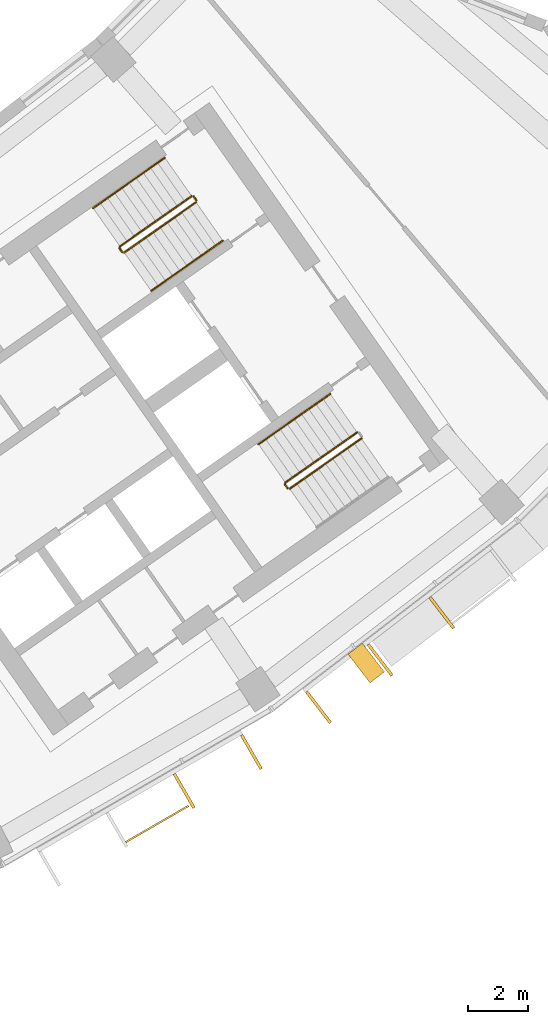
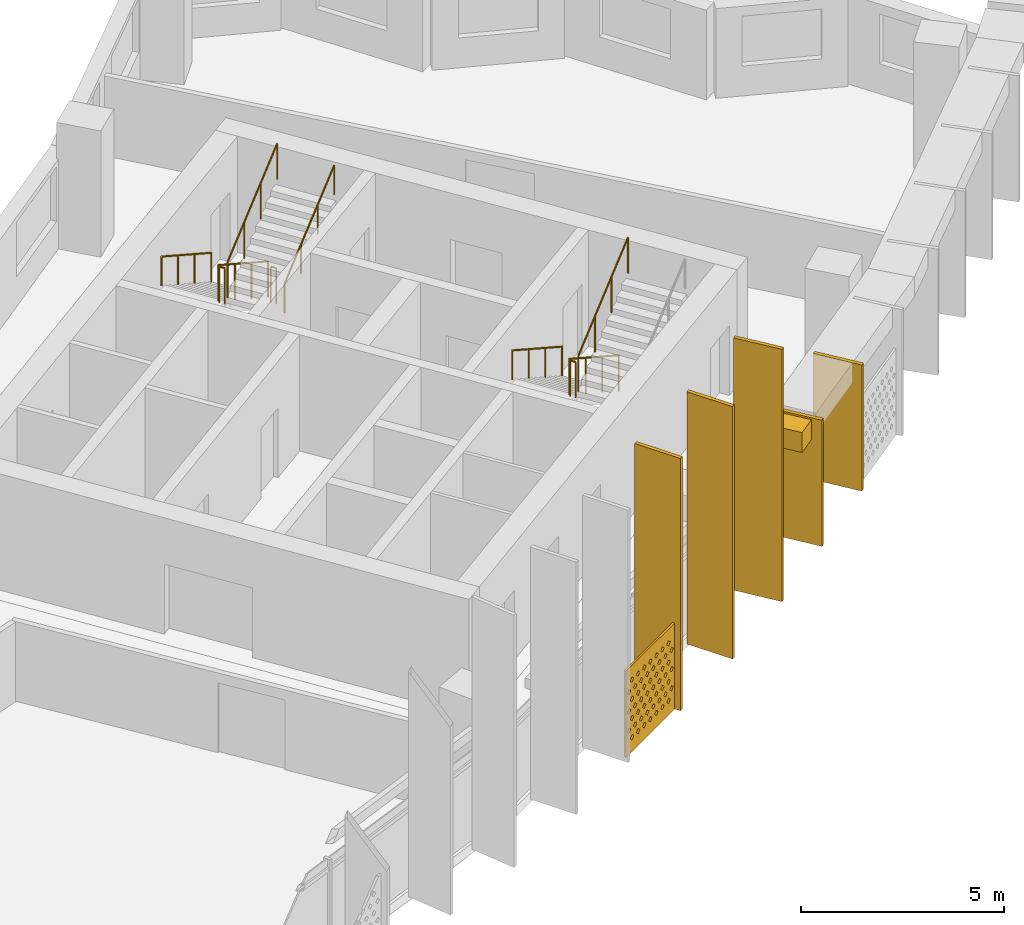
# One storey, part 26 of 27: 8 railings, 7 shading devices.
"""IFC4 building model written with IfcOpenShell, lengths in metres."""

from ifc_helpers import new_model, si_unit, direction, frame, origin, origin_2d, place, context, subcontext, project, spatial, polyline, rectangle, circle, outline, extrude, material, material_profile, profile_set, type_object, element, save


model = new_model("IFC4")

# Units and contexts
model_context = context("Model", 3, precision=1e-05, world=origin(), true_north=direction((0.0, 1.0)))
body_context = subcontext(model_context, "Body", "Model", "MODEL_VIEW")
ifc_project = project(units=[si_unit("LENGTHUNIT", "METRE"), si_unit("AREAUNIT", "SQUARE_METRE"), si_unit("VOLUMEUNIT", "CUBIC_METRE"), si_unit("PLANEANGLEUNIT", "RADIAN"), si_unit("MASSUNIT", "GRAM", prefix="KILO")], contexts=[model_context])

# Site, building, storey
site_placement = place(None, origin())
site = spatial("IfcSite", under=ifc_project, at=site_placement, CompositionType="ELEMENT")
building_placement = place(site_placement, origin())
building = spatial("IfcBuilding", under=site, at=building_placement, Name="Qamariyya Broadcast Tower", CompositionType="ELEMENT")
storey_placement = place(building_placement, frame((0.0, 0.0, 211.300048828125)))
storey = spatial("IfcBuildingStorey", under=building, at=storey_placement, Name="L50", CompositionType="ELEMENT", Elevation=211.300048828125)

# Shading devices
ifc_material_1 = material(Name="Steel S355 powder coated deep red", Category="steel")
shading_device_type_1 = type_object("IfcShadingDeviceType", Name="Deep red frame, powder coated steel box section", PredefinedType="USERDEFINED", material=ifc_material_1)
shading_device_1_placement = place(storey_placement, frame((0.0, 0.0, 3.199951171875)))
element("IfcShadingDevice", 1, at=shading_device_1_placement, inside=storey, type_object=shading_device_type_1, Name="e-frm-B4-F4-posta-L50", ObjectType="FRAME", PredefinedType="USERDEFINED", context=body_context, shape_type="SweptSolid", body=[
    extrude(outline(polyline([(46.17822265625, -63.489990234375), (46.90869140625, -64.442138671875), (47.384765625, -64.076904296875), (46.654296875, -63.124755859375), (46.17822265625, -63.489990234375)])), origin(), (0.0, 0.0, 1.0), 0.60009765625),
])
ifc_material_2 = material(Name="Perforated glazed terracotta", Category="masonry")
ifc_material_profile_1 = material_profile(ifc_material_2, outline(polyline([(-1.199951171875, -1.300048828125), (1.199951171875, -1.300048828125), (1.199951171875, 1.300048828125), (-1.199951171875, 1.300048828125), (-1.199951171875, -1.300048828125)]), holes=[polyline([(-0.81494140625, -0.86669921875), (-0.89990234375, -0.78173828125), (-0.985107421875, -0.86669921875), (-0.89990234375, -0.95166015625), (-0.81494140625, -0.86669921875)]), polyline([(-0.514892578125, -0.86669921875), (-0.60009765625, -0.78173828125), (-0.68505859375, -0.86669921875), (-0.60009765625, -0.95166015625), (-0.514892578125, -0.86669921875)]), polyline([(-0.215087890625, -0.86669921875), (-0.300048828125, -0.78173828125), (-0.385009765625, -0.86669921875), (-0.300048828125, -0.95166015625), (-0.215087890625, -0.86669921875)]), polyline([(0.0849609375, -0.86669921875), (0.0, -0.78173828125), (-0.0849609375, -0.86669921875), (0.0, -0.95166015625), (0.0849609375, -0.86669921875)]), polyline([(0.385009765625, -0.86669921875), (0.300048828125, -0.78173828125), (0.215087890625, -0.86669921875), (0.300048828125, -0.95166015625), (0.385009765625, -0.86669921875)]), polyline([(0.68505859375, -0.86669921875), (0.60009765625, -0.78173828125), (0.514892578125, -0.86669921875), (0.60009765625, -0.95166015625), (0.68505859375, -0.86669921875)]), polyline([(0.985107421875, -0.86669921875), (0.89990234375, -0.78173828125), (0.81494140625, -0.86669921875), (0.89990234375, -0.95166015625), (0.985107421875, -0.86669921875)]), polyline([(-0.965087890625, -0.577880859375), (-1.050048828125, -0.49267578125), (-1.135009765625, -0.577880859375), (-1.050048828125, -0.662841796875), (-0.965087890625, -0.577880859375)]), polyline([(-0.6650390625, -0.577880859375), (-0.75, -0.49267578125), (-0.8349609375, -0.577880859375), (-0.75, -0.662841796875), (-0.6650390625, -0.577880859375)]), polyline([(-0.364990234375, -0.577880859375), (-0.449951171875, -0.49267578125), (-0.534912109375, -0.577880859375), (-0.449951171875, -0.662841796875), (-0.364990234375, -0.577880859375)]), polyline([(-0.06494140625, -0.577880859375), (-0.14990234375, -0.49267578125), (-0.235107421875, -0.577880859375), (-0.14990234375, -0.662841796875), (-0.06494140625, -0.577880859375)]), polyline([(0.235107421875, -0.577880859375), (0.14990234375, -0.49267578125), (0.06494140625, -0.577880859375), (0.14990234375, -0.662841796875), (0.235107421875, -0.577880859375)]), polyline([(0.534912109375, -0.577880859375), (0.449951171875, -0.49267578125), (0.364990234375, -0.577880859375), (0.449951171875, -0.662841796875), (0.534912109375, -0.577880859375)]), polyline([(0.8349609375, -0.577880859375), (0.75, -0.49267578125), (0.6650390625, -0.577880859375), (0.75, -0.662841796875), (0.8349609375, -0.577880859375)]), polyline([(1.135009765625, -0.577880859375), (1.050048828125, -0.49267578125), (0.965087890625, -0.577880859375), (1.050048828125, -0.662841796875), (1.135009765625, -0.577880859375)]), polyline([(-0.81494140625, -0.288818359375), (-0.89990234375, -0.203857421875), (-0.985107421875, -0.288818359375), (-0.89990234375, -0.373779296875), (-0.81494140625, -0.288818359375)]), polyline([(-0.514892578125, -0.288818359375), (-0.60009765625, -0.203857421875), (-0.68505859375, -0.288818359375), (-0.60009765625, -0.373779296875), (-0.514892578125, -0.288818359375)]), polyline([(-0.215087890625, -0.288818359375), (-0.300048828125, -0.203857421875), (-0.385009765625, -0.288818359375), (-0.300048828125, -0.373779296875), (-0.215087890625, -0.288818359375)]), polyline([(0.0849609375, -0.288818359375), (0.0, -0.203857421875), (-0.0849609375, -0.288818359375), (0.0, -0.373779296875), (0.0849609375, -0.288818359375)]), polyline([(0.385009765625, -0.288818359375), (0.300048828125, -0.203857421875), (0.215087890625, -0.288818359375), (0.300048828125, -0.373779296875), (0.385009765625, -0.288818359375)]), polyline([(0.68505859375, -0.288818359375), (0.60009765625, -0.203857421875), (0.514892578125, -0.288818359375), (0.60009765625, -0.373779296875), (0.68505859375, -0.288818359375)]), polyline([(0.985107421875, -0.288818359375), (0.89990234375, -0.203857421875), (0.81494140625, -0.288818359375), (0.89990234375, -0.373779296875), (0.985107421875, -0.288818359375)]), polyline([(-0.965087890625, 0.0), (-1.050048828125, 0.0849609375), (-1.135009765625, 0.0), (-1.050048828125, -0.0849609375), (-0.965087890625, 0.0)]), polyline([(-0.6650390625, 0.0), (-0.75, 0.0849609375), (-0.8349609375, 0.0), (-0.75, -0.0849609375), (-0.6650390625, 0.0)]), polyline([(-0.364990234375, 0.0), (-0.449951171875, 0.0849609375), (-0.534912109375, 0.0), (-0.449951171875, -0.0849609375), (-0.364990234375, 0.0)]), polyline([(-0.06494140625, 0.0), (-0.14990234375, 0.0849609375), (-0.235107421875, 0.0), (-0.14990234375, -0.0849609375), (-0.06494140625, 0.0)]), polyline([(0.235107421875, 0.0), (0.14990234375, 0.0849609375), (0.06494140625, 0.0), (0.14990234375, -0.0849609375), (0.235107421875, 0.0)]), polyline([(0.534912109375, 0.0), (0.449951171875, 0.0849609375), (0.364990234375, 0.0), (0.449951171875, -0.0849609375), (0.534912109375, 0.0)]), polyline([(0.8349609375, 0.0), (0.75, 0.0849609375), (0.6650390625, 0.0), (0.75, -0.0849609375), (0.8349609375, 0.0)]), polyline([(1.135009765625, 0.0), (1.050048828125, 0.0849609375), (0.965087890625, 0.0), (1.050048828125, -0.0849609375), (1.135009765625, 0.0)]), polyline([(-0.81494140625, 0.288818359375), (-0.89990234375, 0.373779296875), (-0.985107421875, 0.288818359375), (-0.89990234375, 0.203857421875), (-0.81494140625, 0.288818359375)]), polyline([(-0.514892578125, 0.288818359375), (-0.60009765625, 0.373779296875), (-0.68505859375, 0.288818359375), (-0.60009765625, 0.203857421875), (-0.514892578125, 0.288818359375)]), polyline([(-0.215087890625, 0.288818359375), (-0.300048828125, 0.373779296875), (-0.385009765625, 0.288818359375), (-0.300048828125, 0.203857421875), (-0.215087890625, 0.288818359375)]), polyline([(0.0849609375, 0.288818359375), (0.0, 0.373779296875), (-0.0849609375, 0.288818359375), (0.0, 0.203857421875), (0.0849609375, 0.288818359375)]), polyline([(0.385009765625, 0.288818359375), (0.300048828125, 0.373779296875), (0.215087890625, 0.288818359375), (0.300048828125, 0.203857421875), (0.385009765625, 0.288818359375)]), polyline([(0.68505859375, 0.288818359375), (0.60009765625, 0.373779296875), (0.514892578125, 0.288818359375), (0.60009765625, 0.203857421875), (0.68505859375, 0.288818359375)]), polyline([(0.985107421875, 0.288818359375), (0.89990234375, 0.373779296875), (0.81494140625, 0.288818359375), (0.89990234375, 0.203857421875), (0.985107421875, 0.288818359375)]), polyline([(-0.965087890625, 0.577880859375), (-1.050048828125, 0.662841796875), (-1.135009765625, 0.577880859375), (-1.050048828125, 0.49267578125), (-0.965087890625, 0.577880859375)]), polyline([(-0.6650390625, 0.577880859375), (-0.75, 0.662841796875), (-0.8349609375, 0.577880859375), (-0.75, 0.49267578125), (-0.6650390625, 0.577880859375)]), polyline([(-0.364990234375, 0.577880859375), (-0.449951171875, 0.662841796875), (-0.534912109375, 0.577880859375), (-0.449951171875, 0.49267578125), (-0.364990234375, 0.577880859375)]), polyline([(-0.06494140625, 0.577880859375), (-0.14990234375, 0.662841796875), (-0.235107421875, 0.577880859375), (-0.14990234375, 0.49267578125), (-0.06494140625, 0.577880859375)]), polyline([(0.235107421875, 0.577880859375), (0.14990234375, 0.662841796875), (0.06494140625, 0.577880859375), (0.14990234375, 0.49267578125), (0.235107421875, 0.577880859375)]), polyline([(0.534912109375, 0.577880859375), (0.449951171875, 0.662841796875), (0.364990234375, 0.577880859375), (0.449951171875, 0.49267578125), (0.534912109375, 0.577880859375)]), polyline([(0.8349609375, 0.577880859375), (0.75, 0.662841796875), (0.6650390625, 0.577880859375), (0.75, 0.49267578125), (0.8349609375, 0.577880859375)]), polyline([(1.135009765625, 0.577880859375), (1.050048828125, 0.662841796875), (0.965087890625, 0.577880859375), (1.050048828125, 0.49267578125), (1.135009765625, 0.577880859375)]), polyline([(-0.81494140625, 0.86669921875), (-0.89990234375, 0.95166015625), (-0.985107421875, 0.86669921875), (-0.89990234375, 0.78173828125), (-0.81494140625, 0.86669921875)]), polyline([(-0.514892578125, 0.86669921875), (-0.60009765625, 0.95166015625), (-0.68505859375, 0.86669921875), (-0.60009765625, 0.78173828125), (-0.514892578125, 0.86669921875)]), polyline([(-0.215087890625, 0.86669921875), (-0.300048828125, 0.95166015625), (-0.385009765625, 0.86669921875), (-0.300048828125, 0.78173828125), (-0.215087890625, 0.86669921875)]), polyline([(0.0849609375, 0.86669921875), (0.0, 0.95166015625), (-0.0849609375, 0.86669921875), (0.0, 0.78173828125), (0.0849609375, 0.86669921875)]), polyline([(0.385009765625, 0.86669921875), (0.300048828125, 0.95166015625), (0.215087890625, 0.86669921875), (0.300048828125, 0.78173828125), (0.385009765625, 0.86669921875)]), polyline([(0.68505859375, 0.86669921875), (0.60009765625, 0.95166015625), (0.514892578125, 0.86669921875), (0.60009765625, 0.78173828125), (0.68505859375, 0.86669921875)]), polyline([(0.985107421875, 0.86669921875), (0.89990234375, 0.95166015625), (0.81494140625, 0.86669921875), (0.89990234375, 0.78173828125), (0.985107421875, 0.86669921875)])]))
ifc_profile_set_1 = profile_set([ifc_material_profile_1], Name="Perforated glazed terracotta")
shading_device_type_2 = type_object("IfcShadingDeviceType", Name="Perforated terracotta screen 2400 x 2600", PredefinedType="USERDEFINED", material=ifc_profile_set_1)
shading_device_2_placement = place(storey_placement, frame((39.8447265625, -69.0849609375, 1.349853515625), z_axis=(0.500074377092, -0.865982457891, 0.0), x_axis=(0.865982457891, 0.500074377092, 0.0)))
element("IfcShadingDevice", 2, at=shading_device_2_placement, inside=storey, type_object=shading_device_type_2, Name="e-scr-L50-12-1", ObjectType="SCREEN", PredefinedType="USERDEFINED", context=body_context, shape_type="SweptSolid", body=[
    extrude(outline(polyline([(-1.199951171875, -1.300048828125), (1.199951171875, -1.300048828125), (1.199951171875, 1.300048828125), (-1.199951171875, 1.300048828125), (-1.199951171875, -1.300048828125)]), holes=[polyline([(-0.81494140625, -0.86669921875), (-0.89990234375, -0.78173828125), (-0.985107421875, -0.86669921875), (-0.89990234375, -0.95166015625), (-0.81494140625, -0.86669921875)]), polyline([(-0.514892578125, -0.86669921875), (-0.60009765625, -0.78173828125), (-0.68505859375, -0.86669921875), (-0.60009765625, -0.95166015625), (-0.514892578125, -0.86669921875)]), polyline([(-0.215087890625, -0.86669921875), (-0.300048828125, -0.78173828125), (-0.385009765625, -0.86669921875), (-0.300048828125, -0.95166015625), (-0.215087890625, -0.86669921875)]), polyline([(0.0849609375, -0.86669921875), (0.0, -0.78173828125), (-0.0849609375, -0.86669921875), (0.0, -0.95166015625), (0.0849609375, -0.86669921875)]), polyline([(0.385009765625, -0.86669921875), (0.300048828125, -0.78173828125), (0.215087890625, -0.86669921875), (0.300048828125, -0.95166015625), (0.385009765625, -0.86669921875)]), polyline([(0.68505859375, -0.86669921875), (0.60009765625, -0.78173828125), (0.514892578125, -0.86669921875), (0.60009765625, -0.95166015625), (0.68505859375, -0.86669921875)]), polyline([(0.985107421875, -0.86669921875), (0.89990234375, -0.78173828125), (0.81494140625, -0.86669921875), (0.89990234375, -0.95166015625), (0.985107421875, -0.86669921875)]), polyline([(-0.965087890625, -0.577880859375), (-1.050048828125, -0.49267578125), (-1.135009765625, -0.577880859375), (-1.050048828125, -0.662841796875), (-0.965087890625, -0.577880859375)]), polyline([(-0.6650390625, -0.577880859375), (-0.75, -0.49267578125), (-0.8349609375, -0.577880859375), (-0.75, -0.662841796875), (-0.6650390625, -0.577880859375)]), polyline([(-0.364990234375, -0.577880859375), (-0.449951171875, -0.49267578125), (-0.534912109375, -0.577880859375), (-0.449951171875, -0.662841796875), (-0.364990234375, -0.577880859375)]), polyline([(-0.06494140625, -0.577880859375), (-0.14990234375, -0.49267578125), (-0.235107421875, -0.577880859375), (-0.14990234375, -0.662841796875), (-0.06494140625, -0.577880859375)]), polyline([(0.235107421875, -0.577880859375), (0.14990234375, -0.49267578125), (0.06494140625, -0.577880859375), (0.14990234375, -0.662841796875), (0.235107421875, -0.577880859375)]), polyline([(0.534912109375, -0.577880859375), (0.449951171875, -0.49267578125), (0.364990234375, -0.577880859375), (0.449951171875, -0.662841796875), (0.534912109375, -0.577880859375)]), polyline([(0.8349609375, -0.577880859375), (0.75, -0.49267578125), (0.6650390625, -0.577880859375), (0.75, -0.662841796875), (0.8349609375, -0.577880859375)]), polyline([(1.135009765625, -0.577880859375), (1.050048828125, -0.49267578125), (0.965087890625, -0.577880859375), (1.050048828125, -0.662841796875), (1.135009765625, -0.577880859375)]), polyline([(-0.81494140625, -0.288818359375), (-0.89990234375, -0.203857421875), (-0.985107421875, -0.288818359375), (-0.89990234375, -0.373779296875), (-0.81494140625, -0.288818359375)]), polyline([(-0.514892578125, -0.288818359375), (-0.60009765625, -0.203857421875), (-0.68505859375, -0.288818359375), (-0.60009765625, -0.373779296875), (-0.514892578125, -0.288818359375)]), polyline([(-0.215087890625, -0.288818359375), (-0.300048828125, -0.203857421875), (-0.385009765625, -0.288818359375), (-0.300048828125, -0.373779296875), (-0.215087890625, -0.288818359375)]), polyline([(0.0849609375, -0.288818359375), (0.0, -0.203857421875), (-0.0849609375, -0.288818359375), (0.0, -0.373779296875), (0.0849609375, -0.288818359375)]), polyline([(0.385009765625, -0.288818359375), (0.300048828125, -0.203857421875), (0.215087890625, -0.288818359375), (0.300048828125, -0.373779296875), (0.385009765625, -0.288818359375)]), polyline([(0.68505859375, -0.288818359375), (0.60009765625, -0.203857421875), (0.514892578125, -0.288818359375), (0.60009765625, -0.373779296875), (0.68505859375, -0.288818359375)]), polyline([(0.985107421875, -0.288818359375), (0.89990234375, -0.203857421875), (0.81494140625, -0.288818359375), (0.89990234375, -0.373779296875), (0.985107421875, -0.288818359375)]), polyline([(-0.965087890625, 0.0), (-1.050048828125, 0.0849609375), (-1.135009765625, 0.0), (-1.050048828125, -0.0849609375), (-0.965087890625, 0.0)]), polyline([(-0.6650390625, 0.0), (-0.75, 0.0849609375), (-0.8349609375, 0.0), (-0.75, -0.0849609375), (-0.6650390625, 0.0)]), polyline([(-0.364990234375, 0.0), (-0.449951171875, 0.0849609375), (-0.534912109375, 0.0), (-0.449951171875, -0.0849609375), (-0.364990234375, 0.0)]), polyline([(-0.06494140625, 0.0), (-0.14990234375, 0.0849609375), (-0.235107421875, 0.0), (-0.14990234375, -0.0849609375), (-0.06494140625, 0.0)]), polyline([(0.235107421875, 0.0), (0.14990234375, 0.0849609375), (0.06494140625, 0.0), (0.14990234375, -0.0849609375), (0.235107421875, 0.0)]), polyline([(0.534912109375, 0.0), (0.449951171875, 0.0849609375), (0.364990234375, 0.0), (0.449951171875, -0.0849609375), (0.534912109375, 0.0)]), polyline([(0.8349609375, 0.0), (0.75, 0.0849609375), (0.6650390625, 0.0), (0.75, -0.0849609375), (0.8349609375, 0.0)]), polyline([(1.135009765625, 0.0), (1.050048828125, 0.0849609375), (0.965087890625, 0.0), (1.050048828125, -0.0849609375), (1.135009765625, 0.0)]), polyline([(-0.81494140625, 0.288818359375), (-0.89990234375, 0.373779296875), (-0.985107421875, 0.288818359375), (-0.89990234375, 0.203857421875), (-0.81494140625, 0.288818359375)]), polyline([(-0.514892578125, 0.288818359375), (-0.60009765625, 0.373779296875), (-0.68505859375, 0.288818359375), (-0.60009765625, 0.203857421875), (-0.514892578125, 0.288818359375)]), polyline([(-0.215087890625, 0.288818359375), (-0.300048828125, 0.373779296875), (-0.385009765625, 0.288818359375), (-0.300048828125, 0.203857421875), (-0.215087890625, 0.288818359375)]), polyline([(0.0849609375, 0.288818359375), (0.0, 0.373779296875), (-0.0849609375, 0.288818359375), (0.0, 0.203857421875), (0.0849609375, 0.288818359375)]), polyline([(0.385009765625, 0.288818359375), (0.300048828125, 0.373779296875), (0.215087890625, 0.288818359375), (0.300048828125, 0.203857421875), (0.385009765625, 0.288818359375)]), polyline([(0.68505859375, 0.288818359375), (0.60009765625, 0.373779296875), (0.514892578125, 0.288818359375), (0.60009765625, 0.203857421875), (0.68505859375, 0.288818359375)]), polyline([(0.985107421875, 0.288818359375), (0.89990234375, 0.373779296875), (0.81494140625, 0.288818359375), (0.89990234375, 0.203857421875), (0.985107421875, 0.288818359375)]), polyline([(-0.965087890625, 0.577880859375), (-1.050048828125, 0.662841796875), (-1.135009765625, 0.577880859375), (-1.050048828125, 0.49267578125), (-0.965087890625, 0.577880859375)]), polyline([(-0.6650390625, 0.577880859375), (-0.75, 0.662841796875), (-0.8349609375, 0.577880859375), (-0.75, 0.49267578125), (-0.6650390625, 0.577880859375)]), polyline([(-0.364990234375, 0.577880859375), (-0.449951171875, 0.662841796875), (-0.534912109375, 0.577880859375), (-0.449951171875, 0.49267578125), (-0.364990234375, 0.577880859375)]), polyline([(-0.06494140625, 0.577880859375), (-0.14990234375, 0.662841796875), (-0.235107421875, 0.577880859375), (-0.14990234375, 0.49267578125), (-0.06494140625, 0.577880859375)]), polyline([(0.235107421875, 0.577880859375), (0.14990234375, 0.662841796875), (0.06494140625, 0.577880859375), (0.14990234375, 0.49267578125), (0.235107421875, 0.577880859375)]), polyline([(0.534912109375, 0.577880859375), (0.449951171875, 0.662841796875), (0.364990234375, 0.577880859375), (0.449951171875, 0.49267578125), (0.534912109375, 0.577880859375)]), polyline([(0.8349609375, 0.577880859375), (0.75, 0.662841796875), (0.6650390625, 0.577880859375), (0.75, 0.49267578125), (0.8349609375, 0.577880859375)]), polyline([(1.135009765625, 0.577880859375), (1.050048828125, 0.662841796875), (0.965087890625, 0.577880859375), (1.050048828125, 0.49267578125), (1.135009765625, 0.577880859375)]), polyline([(-0.81494140625, 0.86669921875), (-0.89990234375, 0.95166015625), (-0.985107421875, 0.86669921875), (-0.89990234375, 0.78173828125), (-0.81494140625, 0.86669921875)]), polyline([(-0.514892578125, 0.86669921875), (-0.60009765625, 0.95166015625), (-0.68505859375, 0.86669921875), (-0.60009765625, 0.78173828125), (-0.514892578125, 0.86669921875)]), polyline([(-0.215087890625, 0.86669921875), (-0.300048828125, 0.95166015625), (-0.385009765625, 0.86669921875), (-0.300048828125, 0.78173828125), (-0.215087890625, 0.86669921875)]), polyline([(0.0849609375, 0.86669921875), (0.0, 0.95166015625), (-0.0849609375, 0.86669921875), (0.0, 0.78173828125), (0.0849609375, 0.86669921875)]), polyline([(0.385009765625, 0.86669921875), (0.300048828125, 0.95166015625), (0.215087890625, 0.86669921875), (0.300048828125, 0.78173828125), (0.385009765625, 0.86669921875)]), polyline([(0.68505859375, 0.86669921875), (0.60009765625, 0.95166015625), (0.514892578125, 0.86669921875), (0.60009765625, 0.78173828125), (0.68505859375, 0.86669921875)]), polyline([(0.985107421875, 0.86669921875), (0.89990234375, 0.95166015625), (0.81494140625, 0.86669921875), (0.89990234375, 0.78173828125), (0.985107421875, 0.86669921875)])]), origin(), (0.0, 0.0, 1.0), 0.06005859375),
])

# Railings
ifc_material_3 = material(Name="Painted steel", Category="steel")
railing_type_1 = type_object("IfcRailingType", Name="Stair guard", PredefinedType="GUARDRAIL", material=ifc_material_3)
railing_1_placement = place(storey_placement, frame((41.003173828125, -48.320068359375, 0.172607421875)))
element("IfcRailing", 3, at=railing_1_placement, inside=storey, type_object=railing_type_1, Name="L50 ST-E2 stair guard 1", PredefinedType="GUARDRAIL", context=body_context, shape_type="SweptSolid", body=[
    extrude(circle(Radius=0.02392578125, at=origin_2d()), frame((0.0, 0.0, 1.076171875), z_axis=(-0.703770094002, -0.492783725636, 0.511734163933), x_axis=(0.573575343427, -0.819152809562, 0.0)), (0.0, 0.0, 1.0), 3.37548828125),
    extrude(circle(Radius=0.02392578125, at=origin_2d()), frame((-2.37548828125, -1.663330078125, 2.80322265625), z_axis=(-0.172799478008, -0.984957024646, 0.0), x_axis=(0.984957024646, -0.172799478008, 0.0)), (0.0, 0.0, 1.0), 0.070556640625),
    extrude(circle(Radius=0.02392578125, at=origin_2d()), frame((-2.3876953125, -1.73291015625, 2.80322265625), z_axis=(0.572588637393, -0.819842821722, 0.0), x_axis=(0.819842821722, 0.572588637393, 0.0)), (0.0, 0.0, 1.0), 0.150146484375),
    extrude(circle(Radius=0.02099609375, at=origin_2d()), origin(), (0.0, 0.0, 1.0), 1.052001953125),
    extrude(circle(Radius=0.02099609375, at=origin_2d()), frame((-0.791748046875, -0.554443359375, 0.57568359375)), (0.0, 0.0, 1.0), 1.052001953125),
    extrude(circle(Radius=0.02099609375, at=origin_2d()), frame((-1.583740234375, -1.10888671875, 1.151611328125)), (0.0, 0.0, 1.0), 1.052001953125),
    extrude(circle(Radius=0.02099609375, at=origin_2d()), frame((-2.37548828125, -1.663330078125, 1.727294921875)), (0.0, 0.0, 1.0), 1.052001953125),
    extrude(circle(Radius=0.02099609375, at=origin_2d()), frame((-2.3876953125, -1.73291015625, 1.727294921875)), (0.0, 0.0, 1.0), 1.052001953125),
    extrude(circle(Radius=0.02099609375, at=origin_2d()), frame((-2.3017578125, -1.85595703125, 1.727294921875)), (0.0, 0.0, 1.0), 1.052001953125),
])
railing_2_placement = place(storey_placement, frame((38.771240234375, -50.188232421875, 2.07275390625)))
element("IfcRailing", 4, at=railing_2_placement, inside=storey, type_object=railing_type_1, Name="L50 ST-E2 stair guard 2", PredefinedType="GUARDRAIL", context=body_context, shape_type="SweptSolid", body=[
    extrude(circle(Radius=0.02392578125, at=origin_2d()), frame((0.0, 0.0, 1.076171875), z_axis=(0.703770094002, 0.492783725636, 0.511734163933), x_axis=(-0.573575343427, 0.819152809562, 0.0)), (0.0, 0.0, 1.0), 3.37548828125),
    extrude(circle(Radius=0.02099609375, at=origin_2d()), origin(), (0.0, 0.0, 1.0), 1.052001953125),
    extrude(circle(Radius=0.02099609375, at=origin_2d()), frame((0.791748046875, 0.554443359375, 0.57568359375)), (0.0, 0.0, 1.0), 1.052001953125),
    extrude(circle(Radius=0.02099609375, at=origin_2d()), frame((1.583740234375, 1.10888671875, 1.151611328125)), (0.0, 0.0, 1.0), 1.052001953125),
    extrude(circle(Radius=0.02099609375, at=origin_2d()), frame((2.37548828125, 1.663330078125, 1.727294921875)), (0.0, 0.0, 1.0), 1.052001953125),
])
railing_3_placement = place(storey_placement, frame((41.072998046875, -48.332275390625, 0.0)))
element("IfcRailing", 5, at=railing_3_placement, inside=storey, type_object=railing_type_1, Name="L50 ST-E2 stair guard 3", PredefinedType="GUARDRAIL", context=body_context, shape_type="SweptSolid", body=[
    extrude(circle(Radius=0.02392578125, at=origin_2d()), frame((0.0, 0.0, 1.076171875), z_axis=(0.572588637393, -0.819842821722, 0.0), x_axis=(0.819842821722, 0.572588637393, 0.0)), (0.0, 0.0, 1.0), 0.150146484375),
    extrude(circle(Radius=0.02099609375, at=origin_2d()), origin(), (0.0, 0.0, 1.0), 1.052001953125),
    extrude(circle(Radius=0.02099609375, at=origin_2d()), frame((0.0859375, -0.123046875, 0.0)), (0.0, 0.0, 1.0), 1.052001953125),
])
railing_4_placement = place(storey_placement, frame((46.48095703125, -56.14306640625, 0.172607421875)))
element("IfcRailing", 6, at=railing_4_placement, inside=storey, type_object=railing_type_1, Name="L50 ST-E1 stair guard 1", PredefinedType="GUARDRAIL", context=body_context, shape_type="SweptSolid", body=[
    extrude(circle(Radius=0.02392578125, at=origin_2d()), frame((0.0, 0.0, 1.076171875), z_axis=(-0.703770094002, -0.492783725636, 0.511734163933), x_axis=(0.573575343427, -0.819152809562, 0.0)), (0.0, 0.0, 1.0), 3.37548828125),
    extrude(circle(Radius=0.02392578125, at=origin_2d()), frame((-2.37548828125, -1.663330078125, 2.80322265625), z_axis=(-0.176149252506, -0.984363469884, 0.0), x_axis=(0.984363469884, -0.176149252506, 0.0)), (0.0, 0.0, 1.0), 0.07080078125),
    extrude(circle(Radius=0.02392578125, at=origin_2d()), frame((-2.387939453125, -1.73291015625, 2.80322265625), z_axis=(0.574444878118, -0.818543268254, 0.0), x_axis=(0.818543268254, 0.574444878118, 0.0)), (0.0, 0.0, 1.0), 0.150146484375),
    extrude(circle(Radius=0.02099609375, at=origin_2d()), origin(), (0.0, 0.0, 1.0), 1.052001953125),
    extrude(circle(Radius=0.02099609375, at=origin_2d()), frame((-0.791748046875, -0.554443359375, 0.57568359375)), (0.0, 0.0, 1.0), 1.052001953125),
    extrude(circle(Radius=0.02099609375, at=origin_2d()), frame((-1.583740234375, -1.10888671875, 1.151611328125)), (0.0, 0.0, 1.0), 1.052001953125),
    extrude(circle(Radius=0.02099609375, at=origin_2d()), frame((-2.37548828125, -1.663330078125, 1.727294921875)), (0.0, 0.0, 1.0), 1.052001953125),
    extrude(circle(Radius=0.02099609375, at=origin_2d()), frame((-2.387939453125, -1.73291015625, 1.727294921875)), (0.0, 0.0, 1.0), 1.052001953125),
    extrude(circle(Radius=0.02099609375, at=origin_2d()), frame((-2.3017578125, -1.855712890625, 1.727294921875)), (0.0, 0.0, 1.0), 1.052001953125),
])
railing_5_placement = place(storey_placement, frame((44.248779296875, -58.01123046875, 2.07275390625)))
element("IfcRailing", 7, at=railing_5_placement, inside=storey, type_object=railing_type_1, Name="L50 ST-E1 stair guard 2", PredefinedType="GUARDRAIL", context=body_context, shape_type="SweptSolid", body=[
    extrude(circle(Radius=0.02392578125, at=origin_2d()), frame((0.0, 0.0, 1.076171875), z_axis=(0.703745009021, 0.492838488332, 0.511715923826), x_axis=(-0.573631830683, 0.819113253969, 0.0)), (0.0, 0.0, 1.0), 3.37548828125),
    extrude(circle(Radius=0.02099609375, at=origin_2d()), origin(), (0.0, 0.0, 1.0), 1.052001953125),
    extrude(circle(Radius=0.02099609375, at=origin_2d()), frame((0.791748046875, 0.554443359375, 0.57568359375)), (0.0, 0.0, 1.0), 1.052001953125),
    extrude(circle(Radius=0.02099609375, at=origin_2d()), frame((1.583740234375, 1.109130859375, 1.151611328125)), (0.0, 0.0, 1.0), 1.052001953125),
    extrude(circle(Radius=0.02099609375, at=origin_2d()), frame((2.37548828125, 1.66357421875, 1.727294921875)), (0.0, 0.0, 1.0), 1.052001953125),
])
ifc_material_4 = material(Name="Stainless steel", Category="steel")
railing_type_2 = type_object("IfcRailingType", Name="Stair handrail", PredefinedType="HANDRAIL", material=ifc_material_4)
railing_6_placement = place(storey_placement, frame((40.1142578125, -47.05029296875, 0.172607421875)))
element("IfcRailing", 8, at=railing_6_placement, inside=storey, type_object=railing_type_2, Name="L50 ST-E2 stair handrail 1", PredefinedType="HANDRAIL", context=body_context, shape_type="SweptSolid", body=[
    extrude(circle(Radius=0.02392578125, at=origin_2d()), frame((0.0, 0.0, 0.8759765625), z_axis=(-0.703745009021, -0.492838488332, 0.511715923826), x_axis=(0.573631830683, -0.819113253969, 0.0)), (0.0, 0.0, 1.0), 3.37548828125),
    extrude(circle(Radius=0.02099609375, at=origin_2d()), origin(), (0.0, 0.0, 1.0), 0.851806640625),
    extrude(circle(Radius=0.02099609375, at=origin_2d()), frame((-0.791748046875, -0.554443359375, 0.57568359375)), (0.0, 0.0, 1.0), 0.851806640625),
    extrude(circle(Radius=0.02099609375, at=origin_2d()), frame((-1.583740234375, -1.109130859375, 1.151611328125)), (0.0, 0.0, 1.0), 0.851806640625),
    extrude(circle(Radius=0.02099609375, at=origin_2d()), frame((-2.37548828125, -1.66357421875, 1.727294921875)), (0.0, 0.0, 1.0), 0.851806640625),
])
railing_7_placement = place(storey_placement, frame((39.66015625, -51.4580078125, 2.07275390625)))
element("IfcRailing", 9, at=railing_7_placement, inside=storey, type_object=railing_type_2, Name="L50 ST-E2 stair handrail 2", PredefinedType="HANDRAIL", context=body_context, shape_type="SweptSolid", body=[
    extrude(circle(Radius=0.02392578125, at=origin_2d()), frame((0.0, 0.0, 0.8759765625), z_axis=(0.703745009021, 0.492838488332, 0.511715923826), x_axis=(-0.573631830683, 0.819113253969, 0.0)), (0.0, 0.0, 1.0), 3.37548828125),
    extrude(circle(Radius=0.02099609375, at=origin_2d()), origin(), (0.0, 0.0, 1.0), 0.851806640625),
    extrude(circle(Radius=0.02099609375, at=origin_2d()), frame((0.791748046875, 0.554443359375, 0.57568359375)), (0.0, 0.0, 1.0), 0.851806640625),
    extrude(circle(Radius=0.02099609375, at=origin_2d()), frame((1.583740234375, 1.109130859375, 1.151611328125)), (0.0, 0.0, 1.0), 0.851806640625),
    extrude(circle(Radius=0.02099609375, at=origin_2d()), frame((2.37548828125, 1.66357421875, 1.727294921875)), (0.0, 0.0, 1.0), 0.851806640625),
])
railing_8_placement = place(storey_placement, frame((45.591796875, -54.873291015625, 0.172607421875)))
element("IfcRailing", 10, at=railing_8_placement, inside=storey, type_object=railing_type_2, Name="L50 ST-E1 stair handrail 1", PredefinedType="HANDRAIL", context=body_context, shape_type="SweptSolid", body=[
    extrude(circle(Radius=0.02392578125, at=origin_2d()), frame((0.0, 0.0, 0.8759765625), z_axis=(-0.703770094002, -0.492783725636, 0.511734163933), x_axis=(0.573575343427, -0.819152809562, 0.0)), (0.0, 0.0, 1.0), 3.37548828125),
    extrude(circle(Radius=0.02099609375, at=origin_2d()), origin(), (0.0, 0.0, 1.0), 0.851806640625),
    extrude(circle(Radius=0.02099609375, at=origin_2d()), frame((-0.791748046875, -0.554443359375, 0.57568359375)), (0.0, 0.0, 1.0), 0.851806640625),
    extrude(circle(Radius=0.02099609375, at=origin_2d()), frame((-1.583740234375, -1.10888671875, 1.151611328125)), (0.0, 0.0, 1.0), 0.851806640625),
    extrude(circle(Radius=0.02099609375, at=origin_2d()), frame((-2.37548828125, -1.663330078125, 1.727294921875)), (0.0, 0.0, 1.0), 0.851806640625),
])

# Shading devices
ifc_material_5 = material(Name="Glazed terracotta", Category="masonry")
ifc_material_profile_2 = material_profile(ifc_material_5, rectangle(XDim=1.300048828125, YDim=0.10009765625, at=origin_2d()))
ifc_profile_set_2 = profile_set([ifc_material_profile_2], Name="Glazed terracotta")
shading_device_type_3 = type_object("IfcShadingDeviceType", Name="Terracotta fin 100 x 1300", PredefinedType="USERDEFINED", material=ifc_profile_set_2)
for number, where, z_axis, x_axis, name in (
    (11, (40.75439453125, -68.016845703125, 0.0), (0.0, 0.0, 1.0), (0.5, -0.866025403784, 0.0), "e-fin-L50-12-2"),
    (12, (42.98193359375, -66.73095703125, 0.0), (0.0, 0.0, 1.0), (0.5, -0.866025403784, 0.0), "e-fin-L50-12-3"),
    (13, (45.202880859375, -65.246826171875, 0.0), (0.0, 0.0, 1.0), (0.608761429009, -0.793353340291, 0.0), "e-fin-L50-13-0"),
):
    element("IfcShadingDevice", number, at=place(storey_placement, frame(where, z_axis=z_axis, x_axis=x_axis)), inside=storey, type_object=shading_device_type_3, Name=name, ObjectType="FIN", PredefinedType="USERDEFINED", context=body_context, shape_type="SweptSolid", body=[
        extrude(rectangle(XDim=1.300048828125, YDim=0.10009765625, at=origin_2d()), origin(), (0.0, 0.0, 1.0), 7.599853515625),
    ])
for number, where, z_axis, x_axis, name in (
    (14, (47.243408203125, -63.68115234375, 0.0), (0.0, 0.0, 1.0), (0.608761429009, -0.793353340291, 0.0), "e-fin-L50-13-1"),
    (15, (49.283935546875, -62.115478515625, 0.0), (0.0, 0.0, 1.0), (0.608761429009, -0.793353340291, 0.0), "e-fin-L50-13-2"),
):
    element("IfcShadingDevice", number, at=place(storey_placement, frame(where, z_axis=z_axis, x_axis=x_axis)), inside=storey, type_object=shading_device_type_3, Name=name, ObjectType="FIN", PredefinedType="USERDEFINED", context=body_context, shape_type="SweptSolid", body=[
        extrude(rectangle(XDim=1.300048828125, YDim=0.10009765625, at=origin_2d()), origin(), (0.0, 0.0, 1.0), 3.800048828125),
    ])

save(model, "model.ifc")
